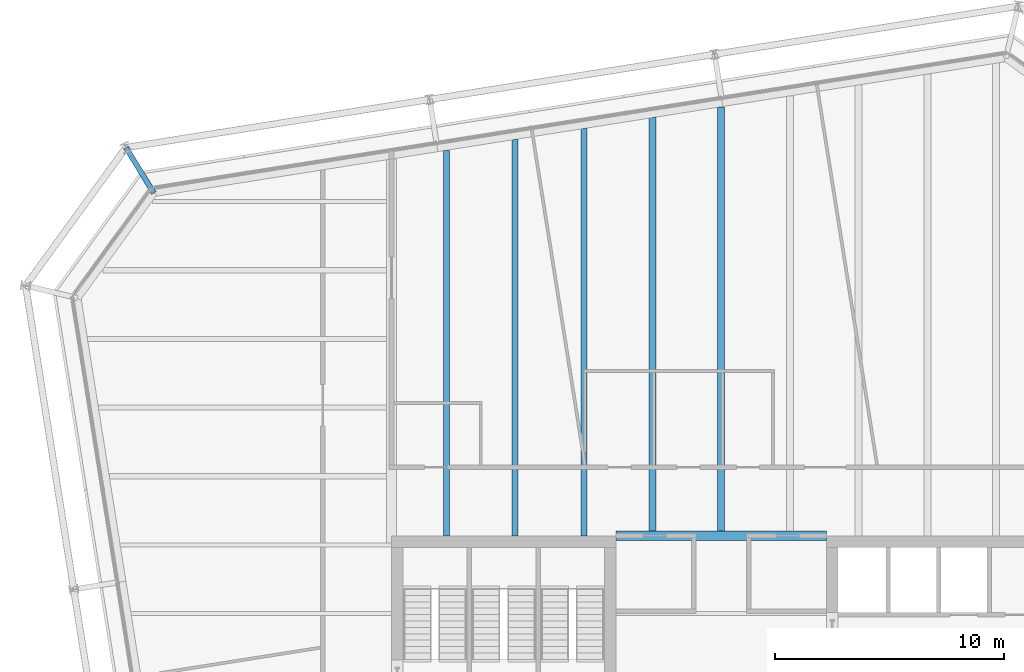
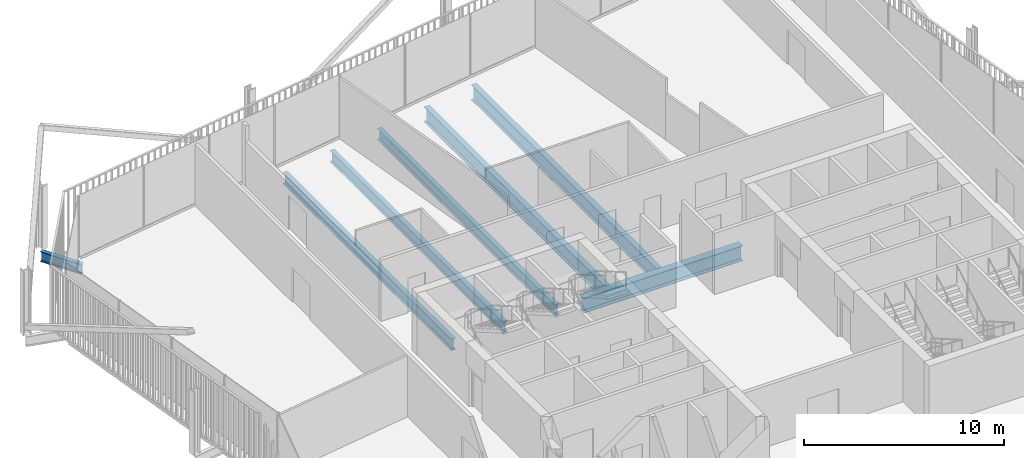
# One storey, part 12 of 21: 7 beams.
"""IFC4 building model written with IfcOpenShell, lengths in metres."""

from ifc_helpers import new_model, si_unit, direction, frame, origin, origin_2d, place, context, subcontext, project, spatial, i_section, extrude, material, material_profile, profile_set, type_object, element, save


model = new_model("IFC4")

# Units and contexts
model_context = context("Model", 3, precision=1e-05, world=origin(), true_north=direction((0.0, 1.0)))
body_context = subcontext(model_context, "Body", "Model", "MODEL_VIEW")
ifc_project = project(units=[si_unit("LENGTHUNIT", "METRE"), si_unit("AREAUNIT", "SQUARE_METRE"), si_unit("VOLUMEUNIT", "CUBIC_METRE"), si_unit("PLANEANGLEUNIT", "RADIAN"), si_unit("MASSUNIT", "GRAM", prefix="KILO")], contexts=[model_context])

# Site, building, storey
site_placement = place(None, origin())
site = spatial("IfcSite", under=ifc_project, at=site_placement, CompositionType="ELEMENT")
building_placement = place(site_placement, origin())
building = spatial("IfcBuilding", under=site, at=building_placement, Name="Millrace Tower", CompositionType="ELEMENT")
storey_placement = place(building_placement, frame((0.0, 0.0, 212.5)))
storey = spatial("IfcBuildingStorey", under=building, at=storey_placement, Name="L48", CompositionType="ELEMENT", Elevation=212.5)

# Beams
ifc_material_1 = material(Name="Steel ASTM A992 Grade 50", Category="steel")
ifc_material_profile_1 = material_profile(ifc_material_1, i_section(OverallWidth=0.256591796875, OverallDepth=0.693359375, WebThickness=0.014404296875, FlangeThickness=0.023681640625, FilletRadius=0.01513671875, at=origin_2d()))
ifc_profile_set_1 = profile_set([ifc_material_profile_1], Name="Steel ASTM A992 Grade 50")
beam_type_1 = type_object("IfcBeamType", Name="Floor beam W27x114", PredefinedType="JOIST", material=ifc_profile_set_1)
beam_1_placement = place(storey_placement, frame((-12.0, 9.39990234375, -0.506591796875), z_axis=(0.0, 1.0, 0.0), x_axis=(-1.0, 0.0, 0.0)))
element("IfcBeam", 1, at=beam_1_placement, inside=storey, type_object=beam_type_1, Name="BM-D-L48-S1-S036", PredefinedType="JOIST", context=body_context, shape_type="SweptSolid", body=[
    extrude(i_section(OverallWidth=0.256591796875, OverallDepth=0.693359375, WebThickness=0.014404296875, FlangeThickness=0.023681640625, FilletRadius=0.01513671875, at=origin_2d()), origin(), (0.0, 0.0, 1.0), 16.8369140625),
])
beam_2_placement = place(storey_placement, frame((-9.0, 9.39990234375, -0.506591796875), z_axis=(0.0, 1.0, 0.0), x_axis=(-1.0, 0.0, 0.0)))
element("IfcBeam", 2, at=beam_2_placement, inside=storey, type_object=beam_type_1, Name="BM-D-L48-S1-S038", PredefinedType="JOIST", context=body_context, shape_type="SweptSolid", body=[
    extrude(i_section(OverallWidth=0.256591796875, OverallDepth=0.693359375, WebThickness=0.014404296875, FlangeThickness=0.023681640625, FilletRadius=0.01513671875, at=origin_2d()), origin(), (0.0, 0.0, 1.0), 17.31201171875),
])
beam_3_placement = place(storey_placement, frame((-6.0, 9.39990234375, -0.506591796875), z_axis=(0.0, 1.0, 0.0), x_axis=(-1.0, 0.0, 0.0)))
element("IfcBeam", 3, at=beam_3_placement, inside=storey, type_object=beam_type_1, Name="BM-D-L48-S1-S040", PredefinedType="JOIST", context=body_context, shape_type="SweptSolid", body=[
    extrude(i_section(OverallWidth=0.256591796875, OverallDepth=0.693359375, WebThickness=0.014404296875, FlangeThickness=0.023681640625, FilletRadius=0.01513671875, at=origin_2d()), origin(), (0.0, 0.0, 1.0), 17.787109375),
])
ifc_material_2 = material(Name="Steel ASTM A992 Grade 50", Category="steel")
ifc_material_profile_2 = material_profile(ifc_material_2, i_section(OverallWidth=0.307373046875, OverallDepth=0.927001953125, WebThickness=0.01953125, FlangeThickness=0.031982421875, FilletRadius=0.01904296875, at=origin_2d()))
ifc_profile_set_2 = profile_set([ifc_material_profile_2], Name="Steel ASTM A992 Grade 50")
beam_type_2 = type_object("IfcBeamType", Name="Floor beam W36x194", PredefinedType="JOIST", material=ifc_profile_set_2)
beam_4_placement = place(storey_placement, frame((-3.0, 9.609619140625, -0.62353515625), z_axis=(0.0, 1.0, 0.0), x_axis=(-1.0, 0.0, 0.0)))
element("IfcBeam", 4, at=beam_4_placement, inside=storey, type_object=beam_type_2, Name="BM-D-L48-S1-S042", PredefinedType="JOIST", context=body_context, shape_type="SweptSolid", body=[
    extrude(i_section(OverallWidth=0.307373046875, OverallDepth=0.927001953125, WebThickness=0.01953125, FlangeThickness=0.031982421875, FilletRadius=0.01904296875, at=origin_2d()), origin(), (0.0, 0.0, 1.0), 18.052490234375),
])
beam_5_placement = place(storey_placement, frame((0.0, 9.609619140625, -0.62353515625), z_axis=(0.0, 1.0, 0.0), x_axis=(-1.0, 0.0, 0.0)))
element("IfcBeam", 5, at=beam_5_placement, inside=storey, type_object=beam_type_2, Name="BM-D-L48-S1-S044", PredefinedType="JOIST", context=body_context, shape_type="SweptSolid", body=[
    extrude(i_section(OverallWidth=0.307373046875, OverallDepth=0.927001953125, WebThickness=0.01953125, FlangeThickness=0.031982421875, FilletRadius=0.01904296875, at=origin_2d()), origin(), (0.0, 0.0, 1.0), 18.527587890625),
])
ifc_material_3 = material(Name="Steel ASTM A992 Grade 50", Category="steel")
ifc_material_profile_3 = material_profile(ifc_material_3, i_section(OverallWidth=0.419189453125, OverallDepth=0.927001953125, WebThickness=0.019287109375, FlangeThickness=0.031982421875, FilletRadius=0.024169921875, at=origin_2d()))
ifc_profile_set_3 = profile_set([ifc_material_profile_3], Name="Steel ASTM A992 Grade 50")
beam_type_3 = type_object("IfcBeamType", Name="Girder short span W36x231", PredefinedType="BEAM", material=ifc_profile_set_3)
beam_6_placement = place(storey_placement, frame((-4.60009765625, 9.39990234375, -0.62353515625), z_axis=(1.0, 0.0, 0.0), x_axis=(0.0, 1.0, 0.0)))
element("IfcBeam", 6, at=beam_6_placement, inside=storey, type_object=beam_type_3, Name="BM-D-L48-S1-G058", PredefinedType="BEAM", context=body_context, shape_type="SweptSolid", body=[
    extrude(i_section(OverallWidth=0.419189453125, OverallDepth=0.927001953125, WebThickness=0.019287109375, FlangeThickness=0.031982421875, FilletRadius=0.024169921875, at=origin_2d()), origin(), (0.0, 0.0, 1.0), 9.2001953125),
])
ifc_material_4 = material(Name="Steel ASTM A992 Grade 50", Category="steel")
ifc_material_profile_4 = material_profile(ifc_material_4, i_section(OverallWidth=0.23046875, OverallDepth=0.6171875, WebThickness=0.01318359375, FlangeThickness=0.022216796875, FilletRadius=0.012939453125, at=origin_2d()))
ifc_profile_set_4 = profile_set([ifc_material_profile_4], Name="Steel ASTM A992 Grade 50")
beam_type_4 = type_object("IfcBeamType", Name="Link beam W24x94", PredefinedType="BEAM", material=ifc_profile_set_4)
beam_7_placement = place(storey_placement, frame((-24.7783203125, 24.368408203125, -0.468505859375), z_axis=(-0.522512938711, 0.852631355792, 0.0), x_axis=(-0.852631355792, -0.522512938711, 0.0)))
element("IfcBeam", 7, at=beam_7_placement, inside=storey, type_object=beam_type_4, Name="LNK-D-L48-S1-05", PredefinedType="BEAM", context=body_context, shape_type="SweptSolid", body=[
    extrude(i_section(OverallWidth=0.23046875, OverallDepth=0.6171875, WebThickness=0.01318359375, FlangeThickness=0.022216796875, FilletRadius=0.012939453125, at=origin_2d()), origin(), (0.0, 0.0, 1.0), 2.3310546875),
])

save(model, "model.ifc")
